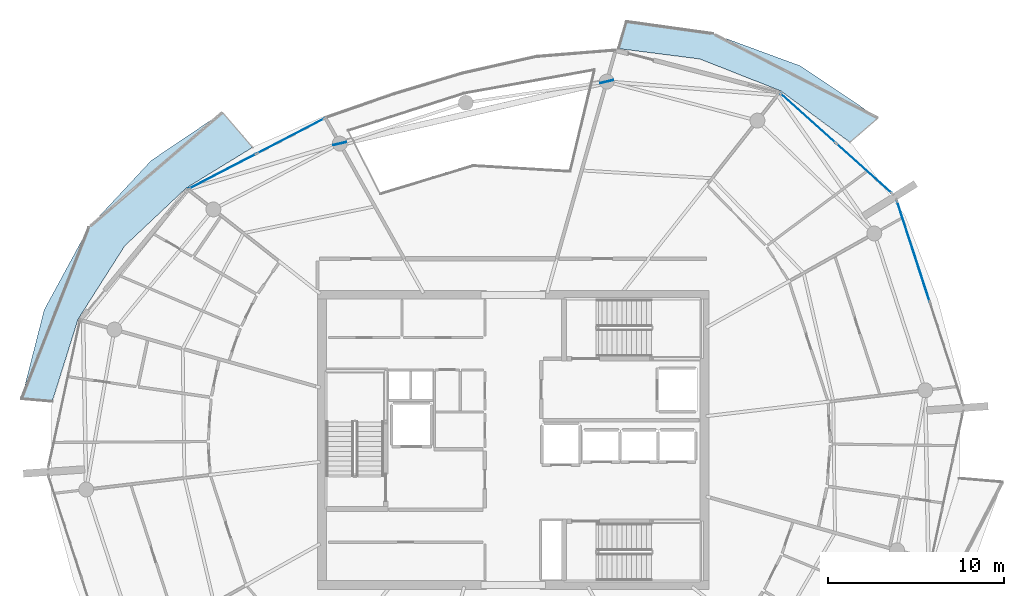
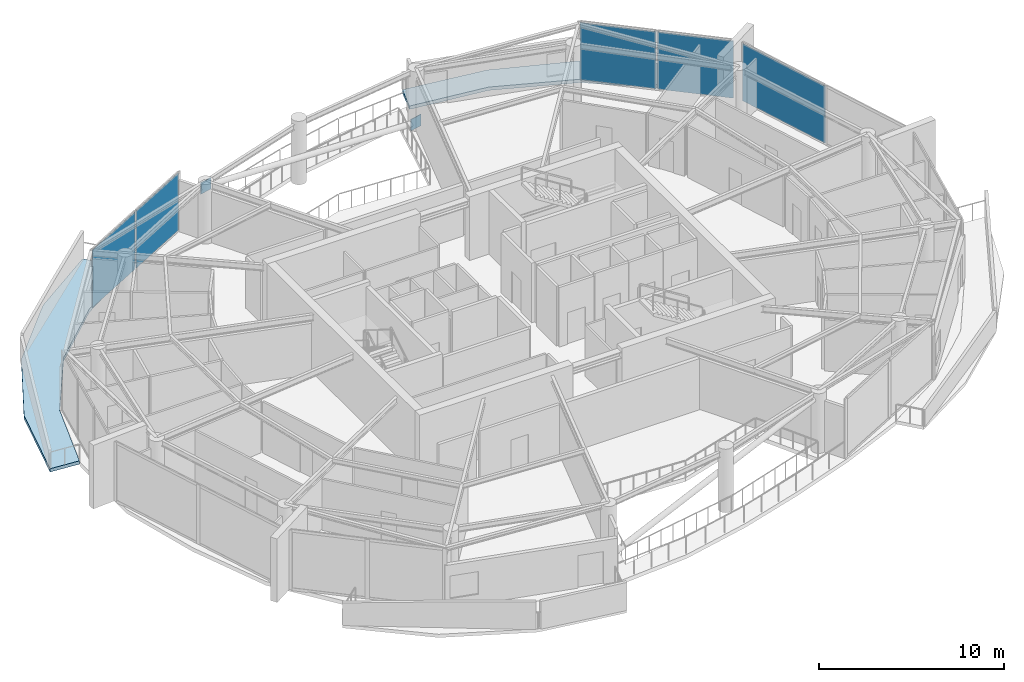
# One storey, part 12 of 22: 7 plates, 2 slabs, 3 elements without a shape of their own.
"""IFC4 building model written with IfcOpenShell, lengths in metres."""

from ifc_helpers import new_model, si_unit, direction, frame, origin, origin_2d, place, context, subcontext, project, spatial, polyline, rectangle, outline, extrude, material, layer, layer_set, type_object, element, aggregate, save


model = new_model("IFC4")

# Units and contexts
model_context = context("Model", 3, precision=1e-05, world=origin(), true_north=direction((0.0, 1.0)))
body_context = subcontext(model_context, "Body", "Model", "MODEL_VIEW")
ifc_project = project(units=[si_unit("LENGTHUNIT", "METRE"), si_unit("AREAUNIT", "SQUARE_METRE"), si_unit("VOLUMEUNIT", "CUBIC_METRE"), si_unit("PLANEANGLEUNIT", "RADIAN"), si_unit("MASSUNIT", "GRAM", prefix="KILO")], contexts=[model_context])

# Site, building, storey
site_placement = place(None, origin())
site = spatial("IfcSite", under=ifc_project, at=site_placement, CompositionType="ELEMENT")
building_placement = place(site_placement, origin())
building = spatial("IfcBuilding", under=site, at=building_placement, Name="Kazma Halo Residences", CompositionType="ELEMENT")
storey_placement = place(building_placement, frame((0.0, 0.0, 334.699951171875)))
storey = spatial("IfcBuildingStorey", under=building, at=storey_placement, Name="L84", CompositionType="ELEMENT", Elevation=334.699951171875)

# Curtain wall, plates
ifc_material_1 = material(Name="Aluminium AW-6063 T6 and Triple-Silver Low-E Glass", Category="aluminium")
ifc_layer_1 = layer(ifc_material_1, 0.239990234375)
ifc_layer_set_1 = layer_set([ifc_layer_1], Name="Aluminium AW-6063 T6 and Triple-Silver Low-E Glass")
curtain_wall_type = type_object("IfcCurtainWallType", Name="CW-SYS-6", PredefinedType="NOTDEFINED", material=ifc_layer_set_1)
curtain_wall_1_placement = place(storey_placement, origin())
curtain_wall_1 = element("IfcCurtainWall", 1, at=curtain_wall_1_placement, inside=storey, type_object=curtain_wall_type, Name="L84 unitised curtain wall B01", PredefinedType="NOTDEFINED")
ifc_material_2 = material(Name="Clear Triple-Silver Low-E Glass IGU", Category="glass")
ifc_layer_2 = layer(ifc_material_2, 0.035888671875)
ifc_layer_set_2 = layer_set([ifc_layer_2], Name="Clear Triple-Silver Low-E Glass IGU")
plate_type_1 = type_object("IfcPlateType", Name="CW-SYS-6-PNL", PredefinedType="CURTAIN_PANEL", material=ifc_layer_set_2)
plate_1_placement = place(storey_placement, frame((68.37646484375, 57.44189453125, 0.080078125), z_axis=(0.0, 0.0, 1.0), x_axis=(-0.744378829791, 0.667757559118, 0.0)))
plate_1 = element("IfcPlate", 2, at=plate_1_placement, type_object=plate_type_1, Name="CWS-6 panel 1.1", PredefinedType="CURTAIN_PANEL", context=body_context, shape_type="SweptSolid", body=[
    extrude(rectangle(XDim=4.19677734375, YDim=0.035888671875, at=origin_2d()), origin(), (0.0, 0.0, 1.0), 3.780029296875),
])
plate_2_placement = place(storey_placement, frame((65.19287109375, 60.297607421875, 0.080078125), z_axis=(0.0, 0.0, 1.0), x_axis=(-0.744378829791, 0.667757559118, 0.0)))
plate_2 = element("IfcPlate", 3, at=plate_2_placement, type_object=plate_type_1, Name="CWS-6 panel 2.1", PredefinedType="CURTAIN_PANEL", context=body_context, shape_type="SweptSolid", body=[
    extrude(rectangle(XDim=4.19677734375, YDim=0.035888671875, at=origin_2d()), origin(), (0.0, 0.0, 1.0), 3.780029296875),
])
aggregate(curtain_wall_1, [plate_1, plate_2])

curtain_wall_2_placement = place(storey_placement, origin())
curtain_wall_2 = element("IfcCurtainWall", 4, at=curtain_wall_2_placement, inside=storey, type_object=curtain_wall_type, Name="L84 unitised curtain wall B05", PredefinedType="NOTDEFINED")
plate_3_placement = place(storey_placement, frame((35.77197265625, 59.286865234375, 0.080078125), z_axis=(0.0, 0.0, 1.0), x_axis=(-0.887506071618, -0.460796020861, 0.0)))
plate_3 = element("IfcPlate", 5, at=plate_3_placement, type_object=plate_type_1, Name="CWS-6 panel 1.1", PredefinedType="CURTAIN_PANEL", context=body_context, shape_type="SweptSolid", body=[
    extrude(rectangle(XDim=4.28662109375, YDim=0.035888671875, at=origin_2d()), origin(), (0.0, 0.0, 1.0), 3.780029296875),
])
plate_4_placement = place(storey_placement, frame((31.896728515625, 57.274658203125, 0.080078125), z_axis=(0.0, 0.0, 1.0), x_axis=(-0.887506071618, -0.460796020861, 0.0)))
plate_4 = element("IfcPlate", 6, at=plate_4_placement, type_object=plate_type_1, Name="CWS-6 panel 2.1", PredefinedType="CURTAIN_PANEL", context=body_context, shape_type="SweptSolid", body=[
    extrude(rectangle(XDim=4.28662109375, YDim=0.035888671875, at=origin_2d()), origin(), (0.0, 0.0, 1.0), 3.780029296875),
])
aggregate(curtain_wall_2, [plate_3, plate_4])

# Curtain wall, plate
curtain_wall_3_placement = place(storey_placement, origin())
curtain_wall_3 = element("IfcCurtainWall", 7, at=curtain_wall_3_placement, inside=storey, type_object=curtain_wall_type, Name="L84 unitised curtain wall B16", PredefinedType="NOTDEFINED")
plate_5_placement = place(storey_placement, frame((71.18408203125, 52.7255859375, 0.080078125), z_axis=(0.0, 0.0, 1.0), x_axis=(-0.309018932797, 0.951055886462, 0.0)))
plate_5 = element("IfcPlate", 8, at=plate_5_placement, type_object=plate_type_1, Name="CWS-6 panel 2.1", PredefinedType="CURTAIN_PANEL", context=body_context, shape_type="SweptSolid", body=[
    extrude(rectangle(XDim=5.99267578125, YDim=0.035888671875, at=origin_2d()), origin(), (0.0, 0.0, 1.0), 3.780029296875),
])
aggregate(curtain_wall_3, [plate_5])

# Plates
ifc_material_3 = material(Name="Steel S355", Category="steel")
ifc_layer_3 = layer(ifc_material_3, 0.0400390625)
ifc_layer_set_3 = layer_set([ifc_layer_3], Name="Steel S355")
plate_type_2 = type_object("IfcPlateType", Name="PLT-GUSSET-40", PredefinedType="SHEET", material=ifc_layer_set_3)
for number, where, z_axis, x_axis, name in (
    (9, (53.74658203125, 62.37646484375, -0.074951171875), (0.0, 0.0, 1.0), (-0.974083647521, -0.226188080216, 0.0), "L84 wind-portal lower gusset NNW"),
    (10, (38.563232421875, 58.8505859375, 3.18505859375), (0.0, 0.0, 1.0), (-0.974083647521, -0.226188080216, 0.0), "L84 wind-portal upper gusset NNW"),
):
    element("IfcPlate", number, at=place(storey_placement, frame(where, z_axis=z_axis, x_axis=x_axis)), inside=storey, type_object=plate_type_2, Name=name, PredefinedType="SHEET", context=body_context, shape_type="SweptSolid", body=[
        extrude(rectangle(XDim=0.75, YDim=0.0400390625, at=origin_2d()), origin(), (0.0, 0.0, 1.0), 0.75),
    ])

# Slabs
ifc_material_4 = material(Name="White Concrete C50/60", Category="concrete")
ifc_layer_4 = layer(ifc_material_4, 0.219970703125)
ifc_layer_set_4 = layer_set([ifc_layer_4], Name="White Concrete C50/60")
slab_type = type_object("IfcSlabType", Name="SLB-BAL-WAVE-210", PredefinedType="FLOOR", material=ifc_layer_set_4)
slab_1_placement = place(storey_placement, frame((0.0, 0.0, -0.219970703125)))
element("IfcSlab", 11, at=slab_1_placement, inside=storey, type_object=slab_type, Name="L84 NE cantilevered wave balcony slab", PredefinedType="FLOOR", context=body_context, shape_type="SweptSolid", body=[
    extrude(outline(polyline([(67.578369140625, 58.929443359375), (63.64697265625, 61.847900390625), (59.038818359375, 63.664794921875), (54.42333984375, 64.254150390625), (54.867431640625, 65.792724609375), (59.773193359375, 65.106201171875), (64.766845703125, 63.268798828125), (69.1728515625, 60.30810546875), (67.578369140625, 58.929443359375)])), origin(), (0.0, 0.0, 1.0), 0.219970703125),
])
slab_2_placement = place(storey_placement, frame((0.0, 0.0, -0.219970703125)))
element("IfcSlab", 12, at=slab_2_placement, inside=storey, type_object=slab_type, Name="L84 NW cantilevered wave balcony slab", PredefinedType="FLOOR", context=body_context, shape_type="SweptSolid", body=[
    extrude(outline(polyline([(33.61181640625, 58.639404296875), (29.82763671875, 56.325927734375), (26.335205078125, 53.038818359375), (23.675048828125, 48.8603515625), (22.2099609375, 44.188232421875), (20.459716796875, 44.3369140625), (21.75341796875, 49.40234375), (24.28857421875, 54.08154296875), (27.840576171875, 57.892333984375), (31.892822265625, 60.62744140625), (33.61181640625, 58.639404296875)])), origin(), (0.0, 0.0, 1.0), 0.219970703125),
])

save(model, "model.ifc")
